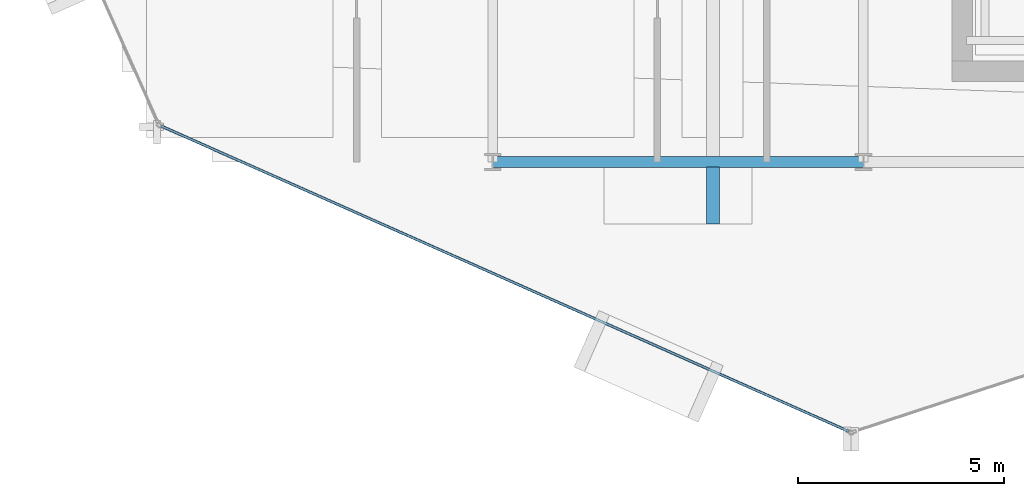
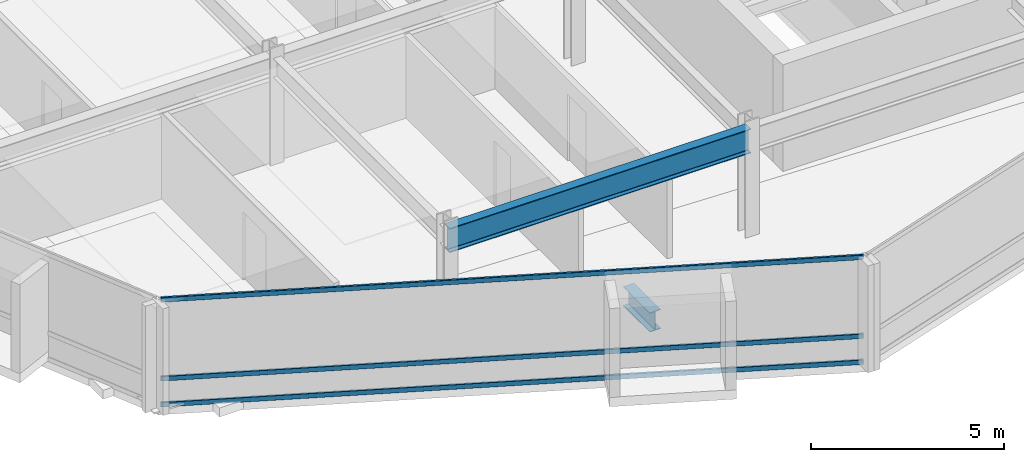
# One storey, part 3 of 27: 3 members, 2 beams, 1 element without a shape of its own.
"""IFC4 building model written with IfcOpenShell, lengths in metres."""

from ifc_helpers import new_model, si_unit, direction, frame, origin, origin_2d, place, context, subcontext, project, spatial, hollow_rectangle, i_section, extrude, material, layer, layer_set, material_profile, profile_set, type_object, element, aggregate, save


model = new_model("IFC4")

# Units and contexts
model_context = context("Model", 3, precision=1e-05, world=origin(), true_north=direction((0.0, 1.0)))
body_context = subcontext(model_context, "Body", "Model", "MODEL_VIEW")
ifc_project = project(units=[si_unit("LENGTHUNIT", "METRE"), si_unit("AREAUNIT", "SQUARE_METRE"), si_unit("VOLUMEUNIT", "CUBIC_METRE"), si_unit("PLANEANGLEUNIT", "RADIAN"), si_unit("MASSUNIT", "GRAM", prefix="KILO")], contexts=[model_context])

# Site, building, storey
site_placement = place(None, origin())
site = spatial("IfcSite", under=ifc_project, at=site_placement, CompositionType="ELEMENT")
building_placement = place(site_placement, origin())
building = spatial("IfcBuilding", under=site, at=building_placement, Name="Solvaryn Broadcast Tower", CompositionType="ELEMENT")
storey_placement = place(building_placement, frame((0.0, 0.0, 192.699951171875)))
storey = spatial("IfcBuildingStorey", under=building, at=storey_placement, Name="L48", CompositionType="ELEMENT", Elevation=192.699951171875)

# Beams
ifc_material_1 = material(Name="Steel ASTM A992 Grade 50", Category="steel")
ifc_material_profile_1 = material_profile(ifc_material_1, i_section(OverallWidth=0.323974609375, OverallDepth=0.611083984375, WebThickness=0.0126953125, FlangeThickness=0.01904296875, FilletRadius=0.014892578125, at=origin_2d()))
ifc_profile_set_1 = profile_set([ifc_material_profile_1], Name="Steel ASTM A992 Grade 50")
beam_type_1 = type_object("IfcBeamType", Name="BM-CANT-TER", PredefinedType="BEAM", material=ifc_profile_set_1)
beam_1_placement = place(storey_placement, frame((23.35009765625, 8.875, -0.58544921875), z_axis=(0.0, -1.0, 0.0), x_axis=(1.0, 0.0, 0.0)))
element("IfcBeam", 1, at=beam_1_placement, inside=storey, type_object=beam_type_1, Name="L48 Bay-Box Cantilever Bracket 1", PredefinedType="BEAM", context=body_context, shape_type="SweptSolid", body=[
    extrude(i_section(OverallWidth=0.323974609375, OverallDepth=0.611083984375, WebThickness=0.0126953125, FlangeThickness=0.01904296875, FilletRadius=0.014892578125, at=origin_2d()), origin(), (0.0, 0.0, 1.0), 1.375),
])
ifc_material_2 = material(Name="Steel ASTM A992 Grade 50", Category="steel")
ifc_material_profile_2 = material_profile(ifc_material_2, i_section(OverallWidth=0.26708984375, OverallDepth=0.76611328125, WebThickness=0.014892578125, FlangeThickness=0.023681640625, FilletRadius=0.01806640625, at=origin_2d()))
ifc_profile_set_2 = profile_set([ifc_material_profile_2], Name="Steel ASTM A992 Grade 50")
beam_type_2 = type_object("IfcBeamType", Name="BM-SP2-W30X124", PredefinedType="USERDEFINED", material=ifc_profile_set_2)
beam_2_placement = place(storey_placement, frame((18.0, 9.0, 2.987060546875), z_axis=(1.0, 0.0, 0.0), x_axis=(0.0, 1.0, 0.0)))
element("IfcBeam", 2, at=beam_2_placement, inside=storey, type_object=beam_type_2, Name="L48 Spandrel Beam X (18-27 @ Y=9)", ObjectType="SPANDREL", PredefinedType="USERDEFINED", context=body_context, shape_type="SweptSolid", body=[
    extrude(i_section(OverallWidth=0.26708984375, OverallDepth=0.76611328125, WebThickness=0.014892578125, FlangeThickness=0.023681640625, FilletRadius=0.01806640625, at=origin_2d()), origin(), (0.0, 0.0, 1.0), 9.0),
])

# Curtain wall, members
ifc_material_3 = material(Name="Aluminium and Terracotta Unitised Curtain Wall", Category="masonry")
ifc_layer = layer(ifc_material_3, 0.199951171875)
ifc_layer_set = layer_set([ifc_layer], Name="CW-SYS2-LOWMID")
curtain_wall_type = type_object("IfcCurtainWallType", Name="CW-SYS2-LOWMID", PredefinedType="NOTDEFINED", material=ifc_layer_set)
curtain_wall_placement = place(storey_placement, origin())
curtain_wall = element("IfcCurtainWall", 3, at=curtain_wall_placement, inside=storey, type_object=curtain_wall_type, Name="L48 Curtain Wall DR3", PredefinedType="NOTDEFINED")
ifc_material_4 = material(Name="Anodised Aluminium 6063-T6", Category="aluminium")
ifc_material_profile_3 = material_profile(ifc_material_4, hollow_rectangle(XDim=0.06494140625, YDim=0.14990234375, WallThickness=0.00390625, InnerFilletRadius=0.00390625, OuterFilletRadius=0.008056640625, at=origin_2d()))
ifc_profile_set_3 = profile_set([ifc_material_profile_3], Name="Anodised Aluminium 6063-T6")
member_type = type_object("IfcMemberType", Name="CW-TRN-150", PredefinedType="USERDEFINED", material=ifc_profile_set_3)
member_1_placement = place(storey_placement, frame((9.952880859375, 9.87353515625, 0.030029296875), z_axis=(0.913916761992, -0.405901653299, 0.0), x_axis=(0.405901653299, 0.913916761992, 0.0)))
member_1 = element("IfcMember", 4, at=member_1_placement, type_object=member_type, Name="CWS2 transom 1.1", ObjectType="TRANSOM", PredefinedType="USERDEFINED", context=body_context, shape_type="SweptSolid", body=[
    extrude(hollow_rectangle(XDim=0.06494140625, YDim=0.14990234375, WallThickness=0.00390625, InnerFilletRadius=0.00390625, OuterFilletRadius=0.008056640625, at=origin_2d()), origin(), (0.0, 0.0, 1.0), 18.27099609375),
])
member_2_placement = place(storey_placement, frame((9.952880859375, 9.87353515625, 0.85009765625), z_axis=(0.913916761992, -0.405901653299, 0.0), x_axis=(0.405901653299, 0.913916761992, 0.0)))
member_2 = element("IfcMember", 5, at=member_2_placement, type_object=member_type, Name="CWS2 transom 1.2", ObjectType="TRANSOM", PredefinedType="USERDEFINED", context=body_context, shape_type="SweptSolid", body=[
    extrude(hollow_rectangle(XDim=0.06494140625, YDim=0.14990234375, WallThickness=0.00390625, InnerFilletRadius=0.00390625, OuterFilletRadius=0.008056640625, at=origin_2d()), origin(), (0.0, 0.0, 1.0), 18.27099609375),
])
member_3_placement = place(storey_placement, frame((9.952880859375, 9.87353515625, 3.340087890625), z_axis=(0.913916761992, -0.405901653299, 0.0), x_axis=(0.405901653299, 0.913916761992, 0.0)))
member_3 = element("IfcMember", 6, at=member_3_placement, type_object=member_type, Name="CWS2 transom 1.3", ObjectType="TRANSOM", PredefinedType="USERDEFINED", context=body_context, shape_type="SweptSolid", body=[
    extrude(hollow_rectangle(XDim=0.06494140625, YDim=0.14990234375, WallThickness=0.00390625, InnerFilletRadius=0.00390625, OuterFilletRadius=0.008056640625, at=origin_2d()), origin(), (0.0, 0.0, 1.0), 18.27099609375),
])
aggregate(curtain_wall, [member_1, member_2, member_3])

save(model, "model.ifc")
